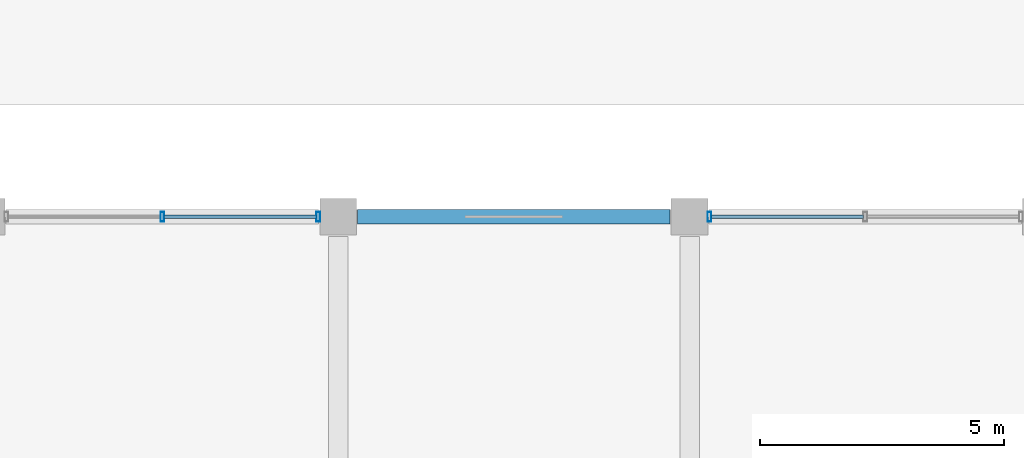
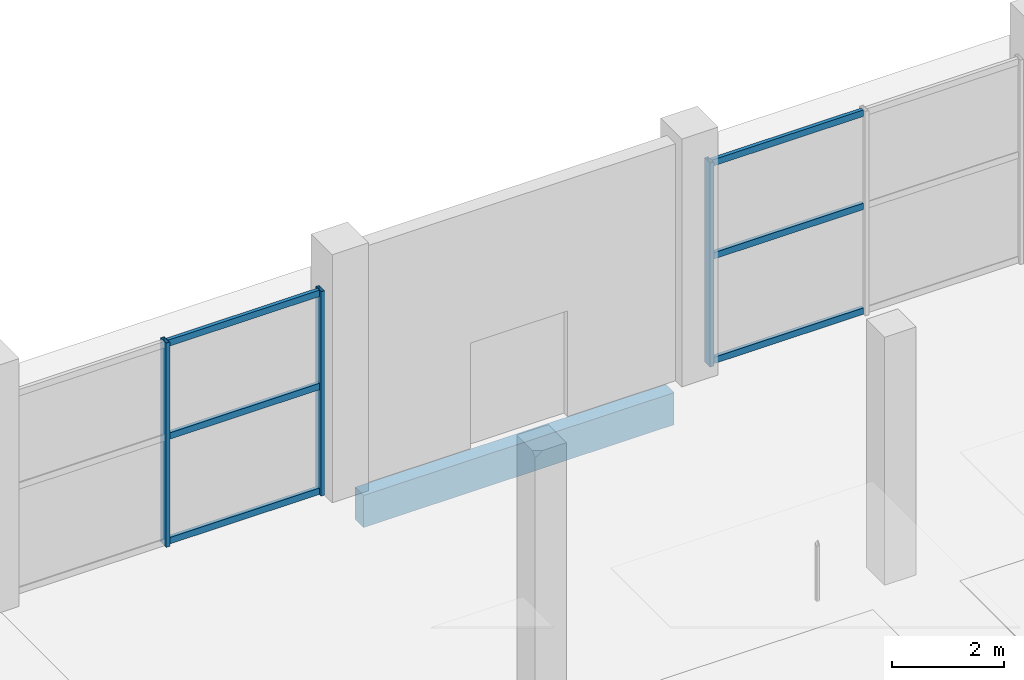
# One storey, part 34 of 90: 9 members, 1 beam, 2 elements without a shape of their own.
"""IFC4 building model written with IfcOpenShell, lengths in metres."""

from ifc_helpers import new_model, si_unit, direction, frame, origin, origin_2d, place, context, subcontext, project, spatial, rectangle, hollow_rectangle, extrude, material, layer, layer_set, material_profile, profile_set, type_object, element, aggregate, save


model = new_model("IFC4")

# Units and contexts
model_context = context("Model", 3, precision=1e-05, world=origin(), true_north=direction((0.0, 1.0)))
body_context = subcontext(model_context, "Body", "Model", "MODEL_VIEW")
ifc_project = project(units=[si_unit("LENGTHUNIT", "METRE"), si_unit("AREAUNIT", "SQUARE_METRE"), si_unit("VOLUMEUNIT", "CUBIC_METRE"), si_unit("PLANEANGLEUNIT", "RADIAN"), si_unit("MASSUNIT", "GRAM", prefix="KILO")], contexts=[model_context])

# Site, building, storey
site_placement = place(None, origin())
site = spatial("IfcSite", under=ifc_project, at=site_placement, CompositionType="ELEMENT")
building_placement = place(site_placement, origin())
building = spatial("IfcBuilding", under=site, at=building_placement, Name="Kangsadwip Square Police Headquarters", CompositionType="ELEMENT")
storey_placement = place(building_placement, origin())
storey = spatial("IfcBuildingStorey", under=building, at=storey_placement, Name="L00", CompositionType="ELEMENT", Elevation=0.0)

# Curtain wall, members
ifc_material_1 = material(Name="Thermally broken anodised aluminium AW-6063-T6", Category="aluminium")
ifc_layer = layer(ifc_material_1, 0.159912109375)
ifc_layer_set = layer_set([ifc_layer], Name="Thermally broken anodised aluminium AW-6063-T6")
curtain_wall_type = type_object("IfcCurtainWallType", Name="UnitisedCw6460x4450", PredefinedType="NOTDEFINED", material=ifc_layer_set)
curtain_wall_1_placement = place(storey_placement, origin())
curtain_wall_1 = element("IfcCurtainWall", 1, at=curtain_wall_1_placement, inside=storey, type_object=curtain_wall_type, Name="Curtain Wall CW-L00-0940-1152", PredefinedType="NOTDEFINED")
ifc_material_2 = material(Name="Thermally broken anodised aluminium AW-6063-T6", Category="aluminium")
ifc_material_profile_1 = material_profile(ifc_material_2, hollow_rectangle(XDim=0.074951171875, YDim=0.199951171875, WallThickness=0.0048828125, at=origin_2d()), Name="CWM 200X75X5")
ifc_profile_set_1 = profile_set([ifc_material_profile_1], Name="Thermally broken anodised aluminium AW-6063-T6")
member_type_1 = type_object("IfcMemberType", Name="CwMullion180x75", PredefinedType="MULLION", material=ifc_profile_set_1)
member_1_placement = place(storey_placement, frame((97.199951171875, 115.199951171875, 0.0), z_axis=(0.0, 0.0, 1.0), x_axis=(1.0, 0.0, 0.0)))
member_1 = element("IfcMember", 2, at=member_1_placement, type_object=member_type_1, Name="CW-10 mullion 2", PredefinedType="MULLION", context=body_context, shape_type="SweptSolid", body=[
    extrude(hollow_rectangle(XDim=0.074951171875, YDim=0.199951171875, WallThickness=0.0048828125, at=origin_2d()), origin(), (0.0, 0.0, 1.0), 4.449951171875),
])
member_2_placement = place(storey_placement, frame((100.392578125, 115.199951171875, 0.0), z_axis=(0.0, 0.0, 1.0), x_axis=(1.0, 0.0, 0.0)))
member_2 = element("IfcMember", 3, at=member_2_placement, type_object=member_type_1, Name="CW-10 mullion 3", PredefinedType="MULLION", context=body_context, shape_type="SweptSolid", body=[
    extrude(hollow_rectangle(XDim=0.074951171875, YDim=0.199951171875, WallThickness=0.0048828125, at=origin_2d()), origin(), (0.0, 0.0, 1.0), 4.449951171875),
])

# Curtain wall, member
curtain_wall_2_placement = place(storey_placement, origin())
curtain_wall_2 = element("IfcCurtainWall", 4, at=curtain_wall_2_placement, inside=storey, type_object=curtain_wall_type, Name="Curtain Wall CW-L00-1084-1152", PredefinedType="NOTDEFINED")
member_3_placement = place(storey_placement, frame((108.407470703125, 115.199951171875, 0.0), z_axis=(0.0, 0.0, 1.0), x_axis=(1.0, 0.0, 0.0)))
member_3 = element("IfcMember", 5, at=member_3_placement, type_object=member_type_1, Name="CW-10 mullion 1", PredefinedType="MULLION", context=body_context, shape_type="SweptSolid", body=[
    extrude(hollow_rectangle(XDim=0.074951171875, YDim=0.199951171875, WallThickness=0.0048828125, at=origin_2d()), origin(), (0.0, 0.0, 1.0), 4.449951171875),
])

# Member
ifc_material_3 = material(Name="Thermally broken anodised aluminium AW-6063-T6", Category="aluminium")
ifc_material_profile_2 = material_profile(ifc_material_3, hollow_rectangle(XDim=0.074951171875, YDim=0.139892578125, WallThickness=0.0048828125, at=origin_2d()), Name="CWT 140X75X5")
ifc_profile_set_2 = profile_set([ifc_material_profile_2], Name="Thermally broken anodised aluminium AW-6063-T6")
member_type_2 = type_object("IfcMemberType", Name="CwTransom160x65", PredefinedType="USERDEFINED", material=ifc_profile_set_2)
member_4_placement = place(storey_placement, frame((97.237548828125, 115.199951171875, 0.070068359375), z_axis=(1.0, 0.0, 0.0), x_axis=(0.0, 1.0, 0.0)))
member_4 = element("IfcMember", 6, at=member_4_placement, type_object=member_type_2, Name="CW-10 transom 2.1", ObjectType="TRANSOM", PredefinedType="USERDEFINED", context=body_context, shape_type="SweptSolid", body=[
    extrude(hollow_rectangle(XDim=0.074951171875, YDim=0.139892578125, WallThickness=0.0048828125, at=origin_2d()), origin(), (0.0, 0.0, 1.0), 3.117431640625),
])

member_5_placement = place(storey_placement, frame((97.237548828125, 115.199951171875, 2.35009765625), z_axis=(1.0, 0.0, 0.0), x_axis=(0.0, 1.0, 0.0)))
member_5 = element("IfcMember", 7, at=member_5_placement, type_object=member_type_2, Name="CW-10 transom 2.2", ObjectType="TRANSOM", PredefinedType="USERDEFINED", context=body_context, shape_type="SweptSolid", body=[
    extrude(hollow_rectangle(XDim=0.074951171875, YDim=0.139892578125, WallThickness=0.0048828125, at=origin_2d()), origin(), (0.0, 0.0, 1.0), 3.117431640625),
])

member_6_placement = place(storey_placement, frame((97.237548828125, 115.199951171875, 4.3798828125), z_axis=(1.0, 0.0, 0.0), x_axis=(0.0, 1.0, 0.0)))
member_6 = element("IfcMember", 8, at=member_6_placement, type_object=member_type_2, Name="CW-10 transom 2.3", ObjectType="TRANSOM", PredefinedType="USERDEFINED", context=body_context, shape_type="SweptSolid", body=[
    extrude(hollow_rectangle(XDim=0.074951171875, YDim=0.139892578125, WallThickness=0.0048828125, at=origin_2d()), origin(), (0.0, 0.0, 1.0), 3.117431640625),
])

aggregate(curtain_wall_1, [member_1, member_2, member_4, member_5, member_6])

member_7_placement = place(storey_placement, frame((108.445068359375, 115.199951171875, 0.070068359375), z_axis=(1.0, 0.0, 0.0), x_axis=(0.0, 1.0, 0.0)))
member_7 = element("IfcMember", 9, at=member_7_placement, type_object=member_type_2, Name="CW-10 transom 1.1", ObjectType="TRANSOM", PredefinedType="USERDEFINED", context=body_context, shape_type="SweptSolid", body=[
    extrude(hollow_rectangle(XDim=0.074951171875, YDim=0.139892578125, WallThickness=0.0048828125, at=origin_2d()), origin(), (0.0, 0.0, 1.0), 3.117431640625),
])

member_8_placement = place(storey_placement, frame((108.445068359375, 115.199951171875, 2.35009765625), z_axis=(1.0, 0.0, 0.0), x_axis=(0.0, 1.0, 0.0)))
member_8 = element("IfcMember", 10, at=member_8_placement, type_object=member_type_2, Name="CW-10 transom 1.2", ObjectType="TRANSOM", PredefinedType="USERDEFINED", context=body_context, shape_type="SweptSolid", body=[
    extrude(hollow_rectangle(XDim=0.074951171875, YDim=0.139892578125, WallThickness=0.0048828125, at=origin_2d()), origin(), (0.0, 0.0, 1.0), 3.117431640625),
])

member_9_placement = place(storey_placement, frame((108.445068359375, 115.199951171875, 4.3798828125), z_axis=(1.0, 0.0, 0.0), x_axis=(0.0, 1.0, 0.0)))
member_9 = element("IfcMember", 11, at=member_9_placement, type_object=member_type_2, Name="CW-10 transom 1.3", ObjectType="TRANSOM", PredefinedType="USERDEFINED", context=body_context, shape_type="SweptSolid", body=[
    extrude(hollow_rectangle(XDim=0.074951171875, YDim=0.139892578125, WallThickness=0.0048828125, at=origin_2d()), origin(), (0.0, 0.0, 1.0), 3.117431640625),
])

aggregate(curtain_wall_2, [member_3, member_7, member_8, member_9])

# Beam
ifc_material_4 = material(Name="Concrete M40 (40 MPa)", Category="concrete")
ifc_material_profile_3 = material_profile(ifc_material_4, rectangle(XDim=0.300048828125, YDim=0.699951171875, at=origin_2d()), Name="RC SPN 700X300")
ifc_profile_set_3 = profile_set([ifc_material_profile_3], Name="Concrete M40 (40 MPa)")
beam_type = type_object("IfcBeamType", Name="RcSpandrel700x300", PredefinedType="SPANDREL", material=ifc_profile_set_3)
beam_placement = place(storey_placement, frame((101.199951171875, 115.199951171875, -0.60009765625), z_axis=(1.0, 0.0, 0.0), x_axis=(0.0, 1.0, 0.0)))
element("IfcBeam", 12, at=beam_placement, inside=storey, type_object=beam_type, Name="Beam BM-L00-X-14-16", PredefinedType="SPANDREL", context=body_context, shape_type="SweptSolid", body=[
    extrude(rectangle(XDim=0.300048828125, YDim=0.699951171875, at=origin_2d()), origin(), (0.0, 0.0, 1.0), 6.400146484375),
])

save(model, "model.ifc")
